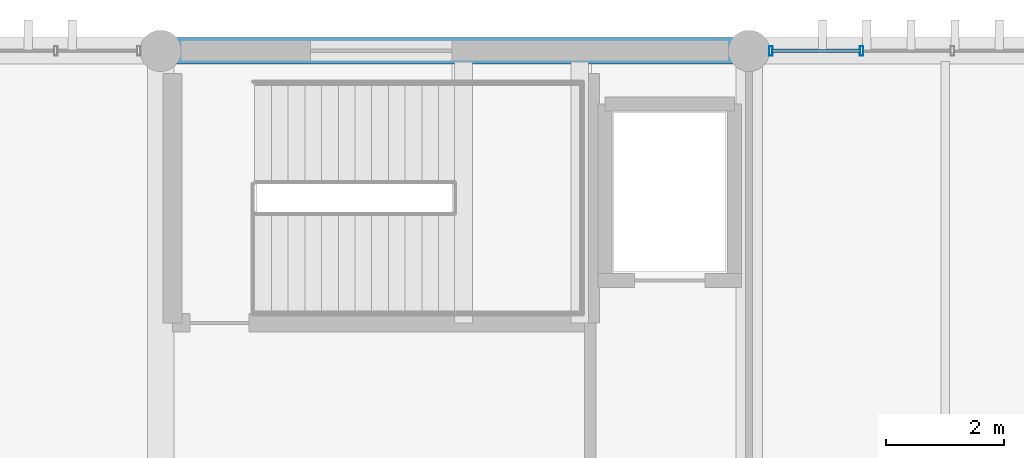
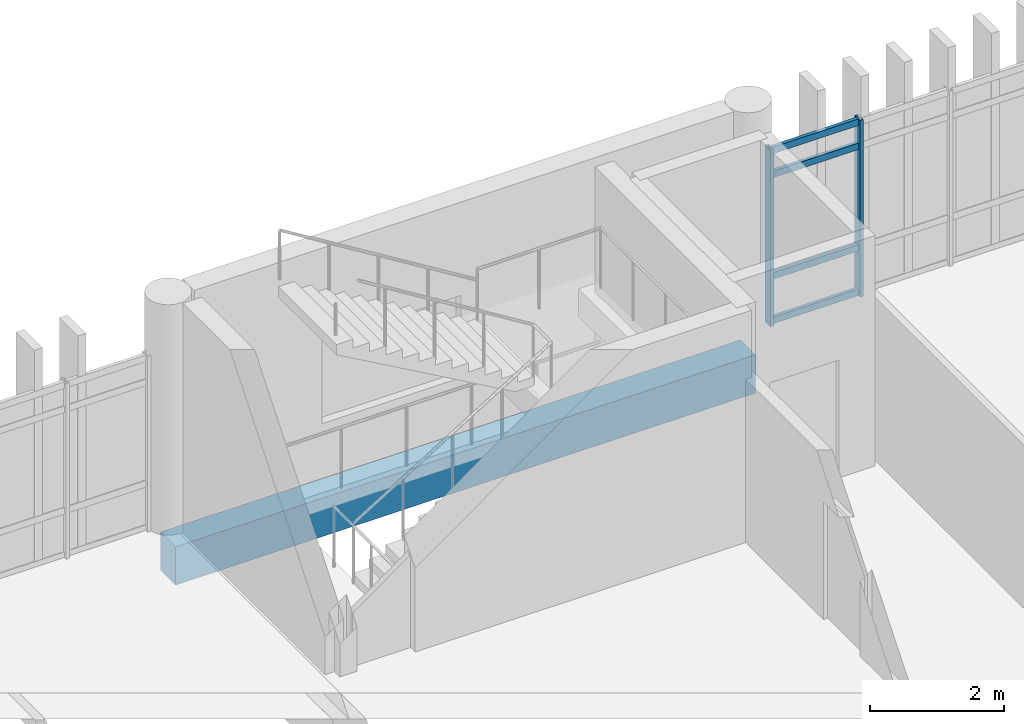
# One storey, part 16 of 29: 6 members, 1 beam, 1 element without a shape of its own.
"""IFC4 building model written with IfcOpenShell, lengths in metres."""

from ifc_helpers import new_model, si_unit, direction, frame, origin, origin_2d, place, context, subcontext, project, spatial, rectangle, hollow_rectangle, extrude, material, layer, layer_set, material_profile, profile_set, type_object, element, aggregate, save


model = new_model("IFC4")

# Units and contexts
model_context = context("Model", 3, precision=1e-05, world=origin(), true_north=direction((0.0, 1.0)))
body_context = subcontext(model_context, "Body", "Model", "MODEL_VIEW")
ifc_project = project(units=[si_unit("LENGTHUNIT", "METRE"), si_unit("AREAUNIT", "SQUARE_METRE"), si_unit("VOLUMEUNIT", "CUBIC_METRE"), si_unit("PLANEANGLEUNIT", "RADIAN"), si_unit("MASSUNIT", "GRAM", prefix="KILO")], contexts=[model_context])

# Site, building, storey
site_placement = place(None, origin())
site = spatial("IfcSite", under=ifc_project, at=site_placement, CompositionType="ELEMENT")
building_placement = place(site_placement, origin())
building = spatial("IfcBuilding", under=site, at=building_placement, Name="Mersad Railyard Sports Hall", CompositionType="ELEMENT")
storey_placement = place(building_placement, frame((0.0, 0.0, 17.39990234375)))
storey = spatial("IfcBuildingStorey", under=building, at=storey_placement, Name="L04", CompositionType="ELEMENT", Elevation=17.39990234375)

# Curtain wall, members
ifc_material_1 = material(Name="Aluminium 6063-T6", Category="aluminium")
ifc_layer = layer(ifc_material_1, 0.159912109375)
ifc_layer_set = layer_set([ifc_layer], Name="Aluminium 6063-T6")
curtain_wall_type = type_object("IfcCurtainWallType", Name="ARC-CW-CW63", PredefinedType="USERDEFINED", material=ifc_layer_set)
curtain_wall_placement = place(storey_placement, origin())
curtain_wall = element("IfcCurtainWall", 1, at=curtain_wall_placement, inside=storey, type_object=curtain_wall_type, Name="Curtain wall CW63-0164", ObjectType="CURTAIN WALL", PredefinedType="USERDEFINED")
ifc_material_profile_1 = material_profile(ifc_material_1, hollow_rectangle(XDim=0.06005859375, YDim=0.159912109375, WallThickness=0.00390625, at=origin_2d()), Name="AL MULLION 60x160x4")
ifc_profile_set_1 = profile_set([ifc_material_profile_1], Name="Aluminium 6063-T6")
member_type_1 = type_object("IfcMemberType", Name="ARC-CW-MUL01", PredefinedType="MULLION", material=ifc_profile_set_1)
member_1_placement = place(storey_placement, frame((101.3701171875, 115.0, -0.02001953125), z_axis=(0.0, 0.0, 1.0), x_axis=(1.0, 0.0, 0.0)))
member_1 = element("IfcMember", 2, at=member_1_placement, type_object=member_type_1, Name="CW63 Mullion 1", PredefinedType="MULLION", context=body_context, shape_type="SweptSolid", body=[
    extrude(hollow_rectangle(XDim=0.06005859375, YDim=0.159912109375, WallThickness=0.00390625, at=origin_2d()), origin(), (0.0, 0.0, 1.0), 3.22021484375),
])
member_2_placement = place(storey_placement, frame((102.913330078125, 115.0, -0.02001953125), z_axis=(0.0, 0.0, 1.0), x_axis=(1.0, 0.0, 0.0)))
member_2 = element("IfcMember", 3, at=member_2_placement, type_object=member_type_1, Name="CW63 Mullion 2", PredefinedType="MULLION", context=body_context, shape_type="SweptSolid", body=[
    extrude(hollow_rectangle(XDim=0.06005859375, YDim=0.159912109375, WallThickness=0.00390625, at=origin_2d()), origin(), (0.0, 0.0, 1.0), 3.22021484375),
])
ifc_material_profile_2 = material_profile(ifc_material_1, hollow_rectangle(XDim=0.06005859375, YDim=0.1201171875, WallThickness=0.00390625, at=origin_2d()), Name="AL TRANSOM 60x120x4")
ifc_profile_set_2 = profile_set([ifc_material_profile_2], Name="Aluminium 6063-T6")
member_type_2 = type_object("IfcMemberType", Name="ARC-CW-TRN01", PredefinedType="USERDEFINED", material=ifc_profile_set_2)
member_3_placement = place(storey_placement, frame((101.389892578125, 115.0, 0.0400390625), z_axis=(1.0, 0.0, 0.0), x_axis=(0.0, 1.0, 0.0)))
member_3 = element("IfcMember", 4, at=member_3_placement, type_object=member_type_2, Name="CW63 Transom 1-1", ObjectType="TRANSOM", PredefinedType="USERDEFINED", context=body_context, shape_type="SweptSolid", body=[
    extrude(hollow_rectangle(XDim=0.06005859375, YDim=0.1201171875, WallThickness=0.00390625, at=origin_2d()), origin(), (0.0, 0.0, 1.0), 1.50341796875),
])
member_4_placement = place(storey_placement, frame((101.389892578125, 115.0, 0.85009765625), z_axis=(1.0, 0.0, 0.0), x_axis=(0.0, 1.0, 0.0)))
member_4 = element("IfcMember", 5, at=member_4_placement, type_object=member_type_2, Name="CW63 Transom 2-1", ObjectType="TRANSOM", PredefinedType="USERDEFINED", context=body_context, shape_type="SweptSolid", body=[
    extrude(hollow_rectangle(XDim=0.06005859375, YDim=0.1201171875, WallThickness=0.00390625, at=origin_2d()), origin(), (0.0, 0.0, 1.0), 1.50341796875),
])
member_5_placement = place(storey_placement, frame((101.389892578125, 115.0, 2.7001953125), z_axis=(1.0, 0.0, 0.0), x_axis=(0.0, 1.0, 0.0)))
member_5 = element("IfcMember", 6, at=member_5_placement, type_object=member_type_2, Name="CW63 Transom 3-1", ObjectType="TRANSOM", PredefinedType="USERDEFINED", context=body_context, shape_type="SweptSolid", body=[
    extrude(hollow_rectangle(XDim=0.06005859375, YDim=0.1201171875, WallThickness=0.00390625, at=origin_2d()), origin(), (0.0, 0.0, 1.0), 1.50341796875),
])
member_6_placement = place(storey_placement, frame((101.389892578125, 115.0, 3.14013671875), z_axis=(1.0, 0.0, 0.0), x_axis=(0.0, 1.0, 0.0)))
member_6 = element("IfcMember", 7, at=member_6_placement, type_object=member_type_2, Name="CW63 Transom 4-1", ObjectType="TRANSOM", PredefinedType="USERDEFINED", context=body_context, shape_type="SweptSolid", body=[
    extrude(hollow_rectangle(XDim=0.06005859375, YDim=0.1201171875, WallThickness=0.00390625, at=origin_2d()), origin(), (0.0, 0.0, 1.0), 1.50341796875),
])
aggregate(curtain_wall, [member_1, member_2, member_3, member_4, member_5, member_6])

# Beam
ifc_material_2 = material(Name="Architectural concrete C40/50", Category="concrete")
ifc_material_profile_3 = material_profile(ifc_material_2, rectangle(XDim=0.449951171875, YDim=0.699951171875, at=origin_2d()), Name="RC 450x700")
ifc_profile_set_3 = profile_set([ifc_material_profile_3], Name="Architectural concrete C40/50")
beam_type = type_object("IfcBeamType", Name="STR-BM-SP01", PredefinedType="SPANDREL", material=ifc_profile_set_3)
beam_placement = place(storey_placement, frame((91.0, 115.0, -0.669921875), z_axis=(1.0, 0.0, 0.0), x_axis=(0.0, 1.0, 0.0)))
element("IfcBeam", 8, at=beam_placement, inside=storey, type_object=beam_type, Name="Beam SP01-1338", PredefinedType="SPANDREL", context=body_context, shape_type="SweptSolid", body=[
    extrude(rectangle(XDim=0.449951171875, YDim=0.699951171875, at=origin_2d()), origin(), (0.0, 0.0, 1.0), 10.0),
])

save(model, "model.ifc")
